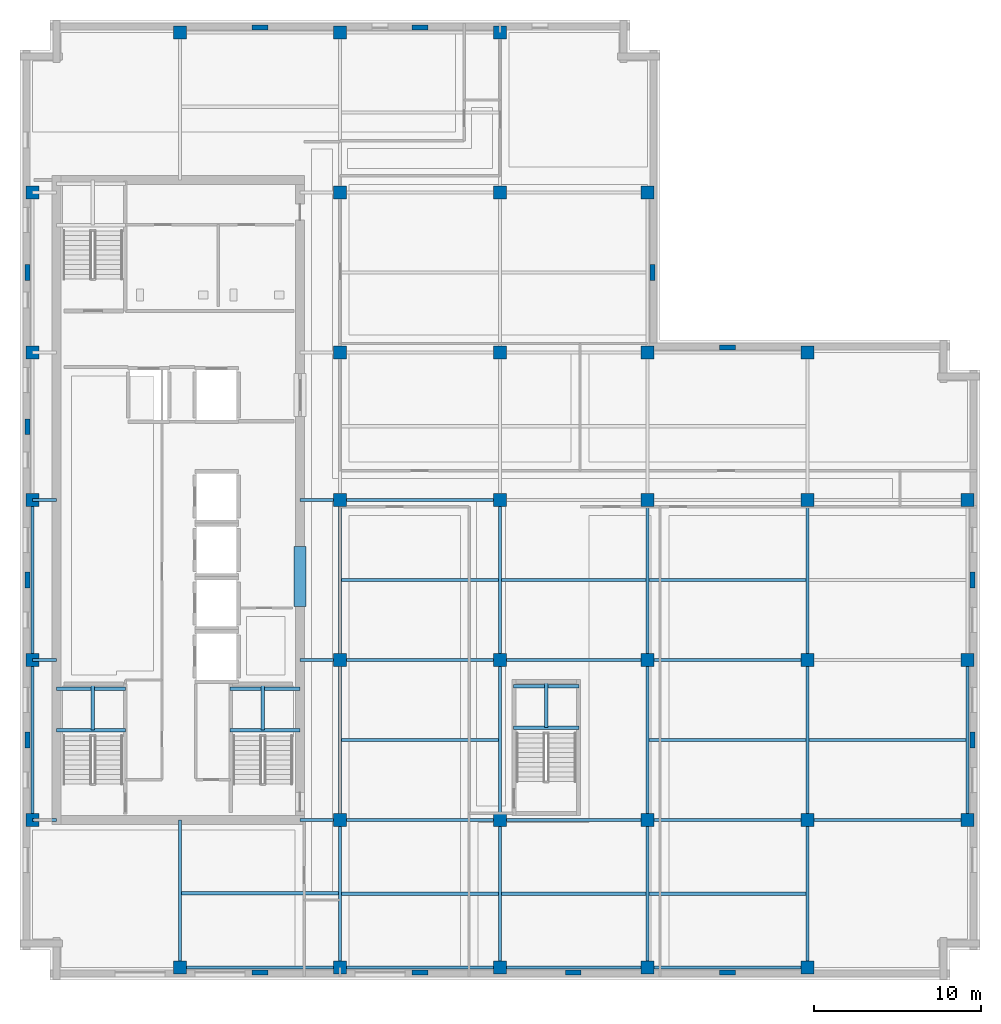
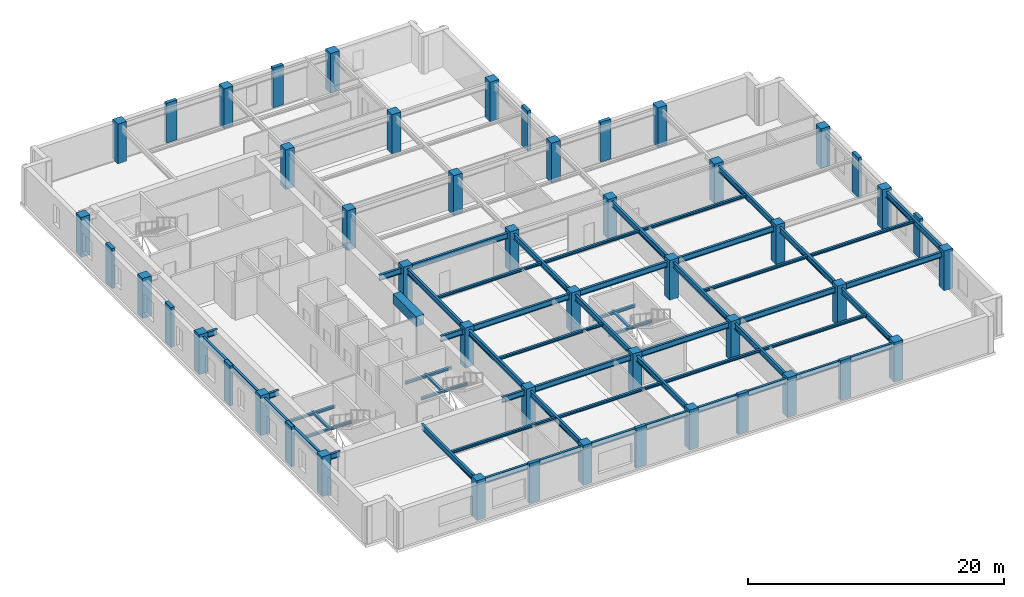
# One storey, part 1 of 11: 54 beams, 49 columns.
"""IFC4 building model written with IfcOpenShell, lengths in metres."""

from ifc_helpers import new_model, si_unit, direction, frame, origin, origin_2d, place, context, subcontext, project, spatial, rectangle, i_section, extrude, material, material_profile, profile_set, type_object, element, save


model = new_model("IFC4")

# Units and contexts
model_context = context("Model", 3, precision=1e-05, world=origin(), true_north=direction((0.0, 1.0)))
body_context = subcontext(model_context, "Body", "Model", "MODEL_VIEW")
ifc_project = project(units=[si_unit("LENGTHUNIT", "METRE"), si_unit("AREAUNIT", "SQUARE_METRE"), si_unit("VOLUMEUNIT", "CUBIC_METRE"), si_unit("PLANEANGLEUNIT", "RADIAN"), si_unit("MASSUNIT", "GRAM", prefix="KILO")], contexts=[model_context])

# Site, building, storey
site_placement = place(None, origin())
site = spatial("IfcSite", under=ifc_project, at=site_placement, CompositionType="ELEMENT")
building_placement = place(site_placement, origin())
building = spatial("IfcBuilding", under=site, at=building_placement, Name="Norrvale University Quadrangle", CompositionType="ELEMENT")
storey_placement = place(building_placement, frame((0.0, 0.0, 248.39990234375)))
storey = spatial("IfcBuildingStorey", under=building, at=storey_placement, Name="L63", CompositionType="ELEMENT", Elevation=248.39990234375)

# Columns
ifc_material_1 = material(Name="Red Manganese Brick Concrete C60/75", Category="concrete")
ifc_material_profile_1 = material_profile(ifc_material_1, rectangle(XDim=0.949951171875, YDim=0.300048828125, at=origin_2d()), Name="Red Manganese Brick Concrete C60/75")
ifc_profile_set_1 = profile_set([ifc_material_profile_1], Name="Red Manganese Brick Concrete C60/75")
column_type_1 = type_object("IfcColumnType", Name="Column Brick Pier 950x300", PredefinedType="PILASTER", material=ifc_profile_set_1)
for number, where, z_axis, x_axis, name in (
    (1, (0.449951171875, 14.39990234375, 0.0), (0.0, 0.0, 1.0), (0.0, 1.0, 0.0), "Exterior Brick Facade Pilaster L63-01"),
    (2, (0.449951171875, 24.0, 0.0), (0.0, 0.0, 1.0), (0.0, 1.0, 0.0), "Exterior Brick Facade Pilaster L63-02"),
    (3, (0.449951171875, 33.199951171875, 0.0), (0.0, 0.0, 1.0), (0.0, 1.0, 0.0), "Exterior Brick Facade Pilaster L63-03"),
    (4, (0.449951171875, 42.449951171875, 0.0), (0.0, 0.0, 1.0), (0.0, 1.0, 0.0), "Exterior Brick Facade Pilaster L63-04"),
    (5, (14.39990234375, 0.449951171875, 0.0), (0.0, 0.0, 1.0), (1.0, 0.0, 0.0), "Exterior Brick Facade Pilaster L63-05"),
    (6, (24.0, 0.449951171875, 0.0), (0.0, 0.0, 1.0), (1.0, 0.0, 0.0), "Exterior Brick Facade Pilaster L63-06"),
    (7, (33.199951171875, 0.449951171875, 0.0), (0.0, 0.0, 1.0), (1.0, 0.0, 0.0), "Exterior Brick Facade Pilaster L63-07"),
    (8, (42.449951171875, 0.449951171875, 0.0), (0.0, 0.0, 1.0), (1.0, 0.0, 0.0), "Exterior Brick Facade Pilaster L63-08"),
    (9, (57.14990234375, 14.39990234375, 0.0), (0.0, 0.0, 1.0), (0.0, 1.0, 0.0), "Exterior Brick Facade Pilaster L63-09"),
    (10, (57.14990234375, 24.0, 0.0), (0.0, 0.0, 1.0), (0.0, 1.0, 0.0), "Exterior Brick Facade Pilaster L63-10"),
    (11, (14.39990234375, 57.14990234375, 0.0), (0.0, 0.0, 1.0), (1.0, 0.0, 0.0), "Exterior Brick Facade Pilaster L63-11"),
    (12, (24.0, 57.14990234375, 0.0), (0.0, 0.0, 1.0), (1.0, 0.0, 0.0), "Exterior Brick Facade Pilaster L63-12"),
    (13, (37.949951171875, 42.449951171875, 0.0), (0.0, 0.0, 1.0), (0.0, 1.0, 0.0), "Exterior Brick Facade Pilaster L63-13"),
    (14, (42.449951171875, 37.949951171875, 0.0), (0.0, 0.0, 1.0), (1.0, 0.0, 0.0), "Exterior Brick Facade Pilaster L63-14"),
):
    element("IfcColumn", number, at=place(storey_placement, frame(where, z_axis=z_axis, x_axis=x_axis)), inside=storey, type_object=column_type_1, Name=name, PredefinedType="PILASTER", context=body_context, shape_type="SweptSolid", body=[
        extrude(rectangle(XDim=0.949951171875, YDim=0.300048828125, at=origin_2d()), origin(), (0.0, 0.0, 1.0), 3.800048828125),
    ])
ifc_material_2 = material(Name="Concrete C60/75", Category="concrete")
ifc_material_profile_2 = material_profile(ifc_material_2, rectangle(XDim=0.800048828125, YDim=0.800048828125, at=origin_2d()), Name="Concrete C60/75")
ifc_profile_set_2 = profile_set([ifc_material_profile_2], Name="Concrete C60/75")
column_type_2 = type_object("IfcColumnType", Name="Column Tower Z3 800x800", PredefinedType="COLUMN", material=ifc_profile_set_2)
for number, where, z_axis, x_axis, name in (
    (15, (0.75, 9.60009765625, 0.0), (0.0, 0.0, 1.0), (1.0, 0.0, 0.0), "Tower Column L63-T01"),
    (16, (0.75, 19.199951171875, 0.0), (0.0, 0.0, 1.0), (1.0, 0.0, 0.0), "Tower Column L63-T02"),
    (17, (0.75, 28.800048828125, 0.0), (0.0, 0.0, 1.0), (1.0, 0.0, 0.0), "Tower Column L63-T03"),
    (18, (0.75, 37.64990234375, 0.0), (0.0, 0.0, 1.0), (1.0, 0.0, 0.0), "Tower Column L63-T04"),
    (19, (0.75, 47.25, 0.0), (0.0, 0.0, 1.0), (1.0, 0.0, 0.0), "Tower Column L63-T05"),
    (20, (9.60009765625, 0.75, 0.0), (0.0, 0.0, 1.0), (1.0, 0.0, 0.0), "Tower Column L63-T06"),
    (21, (9.60009765625, 56.85009765625, 0.0), (0.0, 0.0, 1.0), (1.0, 0.0, 0.0), "Tower Column L63-T07"),
    (22, (19.199951171875, 0.75, 0.0), (0.0, 0.0, 1.0), (1.0, 0.0, 0.0), "Tower Column L63-T08"),
    (23, (19.199951171875, 9.60009765625, 0.0), (0.0, 0.0, 1.0), (1.0, 0.0, 0.0), "Tower Column L63-T09"),
    (24, (19.199951171875, 19.199951171875, 0.0), (0.0, 0.0, 1.0), (1.0, 0.0, 0.0), "Tower Column L63-T10"),
    (25, (19.199951171875, 28.800048828125, 0.0), (0.0, 0.0, 1.0), (1.0, 0.0, 0.0), "Tower Column L63-T11"),
    (26, (19.199951171875, 37.64990234375, 0.0), (0.0, 0.0, 1.0), (1.0, 0.0, 0.0), "Tower Column L63-T12"),
    (27, (19.199951171875, 47.25, 0.0), (0.0, 0.0, 1.0), (1.0, 0.0, 0.0), "Tower Column L63-T13"),
    (28, (19.199951171875, 56.85009765625, 0.0), (0.0, 0.0, 1.0), (1.0, 0.0, 0.0), "Tower Column L63-T14"),
    (29, (28.800048828125, 0.75, 0.0), (0.0, 0.0, 1.0), (1.0, 0.0, 0.0), "Tower Column L63-T15"),
    (30, (28.800048828125, 9.60009765625, 0.0), (0.0, 0.0, 1.0), (1.0, 0.0, 0.0), "Tower Column L63-T16"),
    (31, (28.800048828125, 19.199951171875, 0.0), (0.0, 0.0, 1.0), (1.0, 0.0, 0.0), "Tower Column L63-T17"),
    (32, (28.800048828125, 28.800048828125, 0.0), (0.0, 0.0, 1.0), (1.0, 0.0, 0.0), "Tower Column L63-T18"),
    (33, (28.800048828125, 37.64990234375, 0.0), (0.0, 0.0, 1.0), (1.0, 0.0, 0.0), "Tower Column L63-T19"),
    (34, (28.800048828125, 47.25, 0.0), (0.0, 0.0, 1.0), (1.0, 0.0, 0.0), "Tower Column L63-T20"),
    (35, (28.800048828125, 56.85009765625, 0.0), (0.0, 0.0, 1.0), (1.0, 0.0, 0.0), "Tower Column L63-T21"),
    (36, (37.64990234375, 0.75, 0.0), (0.0, 0.0, 1.0), (1.0, 0.0, 0.0), "Tower Column L63-T22"),
    (37, (37.64990234375, 9.60009765625, 0.0), (0.0, 0.0, 1.0), (1.0, 0.0, 0.0), "Tower Column L63-T23"),
    (38, (37.64990234375, 19.199951171875, 0.0), (0.0, 0.0, 1.0), (1.0, 0.0, 0.0), "Tower Column L63-T24"),
    (39, (37.64990234375, 28.800048828125, 0.0), (0.0, 0.0, 1.0), (1.0, 0.0, 0.0), "Tower Column L63-T25"),
    (40, (37.64990234375, 37.64990234375, 0.0), (0.0, 0.0, 1.0), (1.0, 0.0, 0.0), "Tower Column L63-T26"),
    (41, (37.64990234375, 47.25, 0.0), (0.0, 0.0, 1.0), (1.0, 0.0, 0.0), "Tower Column L63-T27"),
    (42, (47.25, 0.75, 0.0), (0.0, 0.0, 1.0), (1.0, 0.0, 0.0), "Tower Column L63-T28"),
    (43, (47.25, 9.60009765625, 0.0), (0.0, 0.0, 1.0), (1.0, 0.0, 0.0), "Tower Column L63-T29"),
    (44, (47.25, 19.199951171875, 0.0), (0.0, 0.0, 1.0), (1.0, 0.0, 0.0), "Tower Column L63-T30"),
    (45, (47.25, 28.800048828125, 0.0), (0.0, 0.0, 1.0), (1.0, 0.0, 0.0), "Tower Column L63-T31"),
    (46, (47.25, 37.64990234375, 0.0), (0.0, 0.0, 1.0), (1.0, 0.0, 0.0), "Tower Column L63-T32"),
    (47, (56.85009765625, 9.60009765625, 0.0), (0.0, 0.0, 1.0), (1.0, 0.0, 0.0), "Tower Column L63-T33"),
    (48, (56.85009765625, 19.199951171875, 0.0), (0.0, 0.0, 1.0), (1.0, 0.0, 0.0), "Tower Column L63-T34"),
    (49, (56.85009765625, 28.800048828125, 0.0), (0.0, 0.0, 1.0), (1.0, 0.0, 0.0), "Tower Column L63-T35"),
):
    element("IfcColumn", number, at=place(storey_placement, frame(where, z_axis=z_axis, x_axis=x_axis)), inside=storey, type_object=column_type_2, Name=name, PredefinedType="COLUMN", context=body_context, shape_type="SweptSolid", body=[
        extrude(rectangle(XDim=0.800048828125, YDim=0.800048828125, at=origin_2d()), origin(), (0.0, 0.0, 1.0), 3.800048828125),
    ])

# Beams
ifc_material_3 = material(Name="Concrete C80/95", Category="concrete")
ifc_material_profile_3 = material_profile(ifc_material_3, rectangle(XDim=0.699951171875, YDim=0.949951171875, at=origin_2d()), Name="Concrete C80/95")
ifc_profile_set_3 = profile_set([ifc_material_profile_3], Name="Concrete C80/95")
beam_type_1 = type_object("IfcBeamType", Name="Beam Core Link 700x950", PredefinedType="LINTEL", material=ifc_profile_set_3)
beam_1_placement = place(storey_placement, frame((16.800048828125, 22.39990234375, 3.065185546875), z_axis=(0.0, 1.0, 0.0), x_axis=(-1.0, 0.0, 0.0)))
element("IfcBeam", 50, at=beam_1_placement, inside=storey, type_object=beam_type_1, Name="Core Coupling Lintel Beam L63-1", PredefinedType="LINTEL", context=body_context, shape_type="SweptSolid", body=[
    extrude(rectangle(XDim=0.699951171875, YDim=0.949951171875, at=origin_2d()), origin(), (0.0, 0.0, 1.0), 3.60009765625),
])
ifc_material_4 = material(Name="Steel 350W", Category="steel")
ifc_material_profile_4 = material_profile(ifc_material_4, i_section(OverallWidth=0.208984375, OverallDepth=0.532958984375, WebThickness=0.01025390625, FlangeThickness=0.015625, FilletRadius=0.013916015625, at=origin_2d()), Name="Steel 350W")
ifc_profile_set_4 = profile_set([ifc_material_profile_4], Name="Steel 350W")
beam_type_2 = type_object("IfcBeamType", Name="Beam Floor W530x92", PredefinedType="JOIST", material=ifc_profile_set_4)
beam_2_placement = place(storey_placement, frame((9.60009765625, 0.75, 3.273681640625), z_axis=(1.0, 0.0, 0.0), x_axis=(0.0, 1.0, 0.0)))
element("IfcBeam", 51, at=beam_2_placement, inside=storey, type_object=beam_type_2, Name="Beam Floor W530x92 BM-L63-GX001", PredefinedType="JOIST", context=body_context, shape_type="SweptSolid", body=[
    extrude(i_section(OverallWidth=0.208984375, OverallDepth=0.532958984375, WebThickness=0.01025390625, FlangeThickness=0.015625, FilletRadius=0.013916015625, at=origin_2d()), origin(), (0.0, 0.0, 1.0), 9.599853515625),
])
beam_3_placement = place(storey_placement, frame((19.199951171875, 0.75, 3.273681640625), z_axis=(1.0, 0.0, 0.0), x_axis=(0.0, 1.0, 0.0)))
element("IfcBeam", 52, at=beam_3_placement, inside=storey, type_object=beam_type_2, Name="Beam Floor W530x92 BM-L63-GX002", PredefinedType="JOIST", context=body_context, shape_type="SweptSolid", body=[
    extrude(i_section(OverallWidth=0.208984375, OverallDepth=0.532958984375, WebThickness=0.01025390625, FlangeThickness=0.015625, FilletRadius=0.013916015625, at=origin_2d()), origin(), (0.0, 0.0, 1.0), 9.60009765625),
])
beam_4_placement = place(storey_placement, frame((28.800048828125, 0.75, 3.273681640625), z_axis=(1.0, 0.0, 0.0), x_axis=(0.0, 1.0, 0.0)))
element("IfcBeam", 53, at=beam_4_placement, inside=storey, type_object=beam_type_2, Name="Beam Floor W530x92 BM-L63-GX003", PredefinedType="JOIST", context=body_context, shape_type="SweptSolid", body=[
    extrude(i_section(OverallWidth=0.208984375, OverallDepth=0.532958984375, WebThickness=0.01025390625, FlangeThickness=0.015625, FilletRadius=0.013916015625, at=origin_2d()), origin(), (0.0, 0.0, 1.0), 8.849853515625),
])
for number, where, z_axis, x_axis, name in (
    (54, (37.64990234375, 0.75, 3.273681640625), (1.0, 0.0, 0.0), (0.0, 1.0, 0.0), "Beam Floor W530x92 BM-L63-GX004"),
    (55, (19.199951171875, 9.60009765625, 3.273681640625), (1.0, 0.0, 0.0), (0.0, 1.0, 0.0), "Beam Floor W530x92 BM-L63-GX005"),
):
    element("IfcBeam", number, at=place(storey_placement, frame(where, z_axis=z_axis, x_axis=x_axis)), inside=storey, type_object=beam_type_2, Name=name, PredefinedType="JOIST", context=body_context, shape_type="SweptSolid", body=[
        extrude(i_section(OverallWidth=0.208984375, OverallDepth=0.532958984375, WebThickness=0.01025390625, FlangeThickness=0.015625, FilletRadius=0.013916015625, at=origin_2d()), origin(), (0.0, 0.0, 1.0), 9.60009765625),
    ])
beam_5_placement = place(storey_placement, frame((28.800048828125, 9.60009765625, 3.273681640625), z_axis=(1.0, 0.0, 0.0), x_axis=(0.0, 1.0, 0.0)))
element("IfcBeam", 56, at=beam_5_placement, inside=storey, type_object=beam_type_2, Name="Beam Floor W530x92 BM-L63-GX006", PredefinedType="JOIST", context=body_context, shape_type="SweptSolid", body=[
    extrude(i_section(OverallWidth=0.208984375, OverallDepth=0.532958984375, WebThickness=0.01025390625, FlangeThickness=0.015625, FilletRadius=0.013916015625, at=origin_2d()), origin(), (0.0, 0.0, 1.0), 8.849853515625),
])
for number, where, z_axis, x_axis, name in (
    (57, (37.64990234375, 9.60009765625, 3.273681640625), (1.0, 0.0, 0.0), (0.0, 1.0, 0.0), "Beam Floor W530x92 BM-L63-GX007"),
    (58, (47.25, 9.60009765625, 3.273681640625), (1.0, 0.0, 0.0), (0.0, 1.0, 0.0), "Beam Floor W530x92 BM-L63-GX008"),
    (59, (19.199951171875, 19.199951171875, 3.273681640625), (1.0, 0.0, 0.0), (0.0, 1.0, 0.0), "Beam Floor W530x92 BM-L63-GX009"),
):
    element("IfcBeam", number, at=place(storey_placement, frame(where, z_axis=z_axis, x_axis=x_axis)), inside=storey, type_object=beam_type_2, Name=name, PredefinedType="JOIST", context=body_context, shape_type="SweptSolid", body=[
        extrude(i_section(OverallWidth=0.208984375, OverallDepth=0.532958984375, WebThickness=0.01025390625, FlangeThickness=0.015625, FilletRadius=0.013916015625, at=origin_2d()), origin(), (0.0, 0.0, 1.0), 9.60009765625),
    ])
beam_6_placement = place(storey_placement, frame((28.800048828125, 19.199951171875, 3.273681640625), z_axis=(1.0, 0.0, 0.0), x_axis=(0.0, 1.0, 0.0)))
element("IfcBeam", 60, at=beam_6_placement, inside=storey, type_object=beam_type_2, Name="Beam Floor W530x92 BM-L63-GX010", PredefinedType="JOIST", context=body_context, shape_type="SweptSolid", body=[
    extrude(i_section(OverallWidth=0.208984375, OverallDepth=0.532958984375, WebThickness=0.01025390625, FlangeThickness=0.015625, FilletRadius=0.013916015625, at=origin_2d()), origin(), (0.0, 0.0, 1.0), 8.849853515625),
])
for number, where, z_axis, x_axis, name in (
    (61, (37.64990234375, 19.199951171875, 3.273681640625), (1.0, 0.0, 0.0), (0.0, 1.0, 0.0), "Beam Floor W530x92 BM-L63-GX011"),
    (62, (19.199951171875, 28.800048828125, 3.273681640625), (1.0, 0.0, 0.0), (0.0, 1.0, 0.0), "Beam Floor W530x92 BM-L63-GX013"),
):
    element("IfcBeam", number, at=place(storey_placement, frame(where, z_axis=z_axis, x_axis=x_axis)), inside=storey, type_object=beam_type_2, Name=name, PredefinedType="JOIST", context=body_context, shape_type="SweptSolid", body=[
        extrude(i_section(OverallWidth=0.208984375, OverallDepth=0.532958984375, WebThickness=0.01025390625, FlangeThickness=0.015625, FilletRadius=0.013916015625, at=origin_2d()), origin(), (0.0, 0.0, 1.0), 9.60009765625),
    ])
beam_7_placement = place(storey_placement, frame((0.75, 9.60009765625, 3.273681640625), z_axis=(0.0, 1.0, 0.0), x_axis=(-1.0, 0.0, 0.0)))
element("IfcBeam", 63, at=beam_7_placement, inside=storey, type_object=beam_type_2, Name="Beam Floor W530x92 BM-L63-GY024", PredefinedType="JOIST", context=body_context, shape_type="SweptSolid", body=[
    extrude(i_section(OverallWidth=0.208984375, OverallDepth=0.532958984375, WebThickness=0.01025390625, FlangeThickness=0.015625, FilletRadius=0.013916015625, at=origin_2d()), origin(), (0.0, 0.0, 1.0), 9.599853515625),
])
beam_8_placement = place(storey_placement, frame((0.75, 19.199951171875, 3.273681640625), z_axis=(0.0, 1.0, 0.0), x_axis=(-1.0, 0.0, 0.0)))
element("IfcBeam", 64, at=beam_8_placement, inside=storey, type_object=beam_type_2, Name="Beam Floor W530x92 BM-L63-GY025", PredefinedType="JOIST", context=body_context, shape_type="SweptSolid", body=[
    extrude(i_section(OverallWidth=0.208984375, OverallDepth=0.532958984375, WebThickness=0.01025390625, FlangeThickness=0.015625, FilletRadius=0.013916015625, at=origin_2d()), origin(), (0.0, 0.0, 1.0), 9.60009765625),
])
beam_9_placement = place(storey_placement, frame((19.199951171875, 0.75, 3.273681640625), z_axis=(0.0, 1.0, 0.0), x_axis=(-1.0, 0.0, 0.0)))
element("IfcBeam", 65, at=beam_9_placement, inside=storey, type_object=beam_type_2, Name="Beam Floor W530x92 BM-L63-GY028", PredefinedType="JOIST", context=body_context, shape_type="SweptSolid", body=[
    extrude(i_section(OverallWidth=0.208984375, OverallDepth=0.532958984375, WebThickness=0.01025390625, FlangeThickness=0.015625, FilletRadius=0.013916015625, at=origin_2d()), origin(), (0.0, 0.0, 1.0), 8.85009765625),
])
beam_10_placement = place(storey_placement, frame((19.199951171875, 9.60009765625, 3.273681640625), z_axis=(0.0, 1.0, 0.0), x_axis=(-1.0, 0.0, 0.0)))
element("IfcBeam", 66, at=beam_10_placement, inside=storey, type_object=beam_type_2, Name="Beam Floor W530x92 BM-L63-GY029", PredefinedType="JOIST", context=body_context, shape_type="SweptSolid", body=[
    extrude(i_section(OverallWidth=0.208984375, OverallDepth=0.532958984375, WebThickness=0.01025390625, FlangeThickness=0.015625, FilletRadius=0.013916015625, at=origin_2d()), origin(), (0.0, 0.0, 1.0), 9.599853515625),
])
beam_11_placement = place(storey_placement, frame((19.199951171875, 19.199951171875, 3.273681640625), z_axis=(0.0, 1.0, 0.0), x_axis=(-1.0, 0.0, 0.0)))
element("IfcBeam", 67, at=beam_11_placement, inside=storey, type_object=beam_type_2, Name="Beam Floor W530x92 BM-L63-GY030", PredefinedType="JOIST", context=body_context, shape_type="SweptSolid", body=[
    extrude(i_section(OverallWidth=0.208984375, OverallDepth=0.532958984375, WebThickness=0.01025390625, FlangeThickness=0.015625, FilletRadius=0.013916015625, at=origin_2d()), origin(), (0.0, 0.0, 1.0), 9.60009765625),
])
beam_12_placement = place(storey_placement, frame((28.800048828125, 0.75, 3.273681640625), z_axis=(0.0, 1.0, 0.0), x_axis=(-1.0, 0.0, 0.0)))
element("IfcBeam", 68, at=beam_12_placement, inside=storey, type_object=beam_type_2, Name="Beam Floor W530x92 BM-L63-GY034", PredefinedType="JOIST", context=body_context, shape_type="SweptSolid", body=[
    extrude(i_section(OverallWidth=0.208984375, OverallDepth=0.532958984375, WebThickness=0.01025390625, FlangeThickness=0.015625, FilletRadius=0.013916015625, at=origin_2d()), origin(), (0.0, 0.0, 1.0), 8.85009765625),
])
beam_13_placement = place(storey_placement, frame((28.800048828125, 9.60009765625, 3.273681640625), z_axis=(0.0, 1.0, 0.0), x_axis=(-1.0, 0.0, 0.0)))
element("IfcBeam", 69, at=beam_13_placement, inside=storey, type_object=beam_type_2, Name="Beam Floor W530x92 BM-L63-GY035", PredefinedType="JOIST", context=body_context, shape_type="SweptSolid", body=[
    extrude(i_section(OverallWidth=0.208984375, OverallDepth=0.532958984375, WebThickness=0.01025390625, FlangeThickness=0.015625, FilletRadius=0.013916015625, at=origin_2d()), origin(), (0.0, 0.0, 1.0), 9.599853515625),
])
beam_14_placement = place(storey_placement, frame((28.800048828125, 19.199951171875, 3.273681640625), z_axis=(0.0, 1.0, 0.0), x_axis=(-1.0, 0.0, 0.0)))
element("IfcBeam", 70, at=beam_14_placement, inside=storey, type_object=beam_type_2, Name="Beam Floor W530x92 BM-L63-GY036", PredefinedType="JOIST", context=body_context, shape_type="SweptSolid", body=[
    extrude(i_section(OverallWidth=0.208984375, OverallDepth=0.532958984375, WebThickness=0.01025390625, FlangeThickness=0.015625, FilletRadius=0.013916015625, at=origin_2d()), origin(), (0.0, 0.0, 1.0), 9.60009765625),
])
beam_15_placement = place(storey_placement, frame((37.64990234375, 0.75, 3.273681640625), z_axis=(0.0, 1.0, 0.0), x_axis=(-1.0, 0.0, 0.0)))
element("IfcBeam", 71, at=beam_15_placement, inside=storey, type_object=beam_type_2, Name="Beam Floor W530x92 BM-L63-GY040", PredefinedType="JOIST", context=body_context, shape_type="SweptSolid", body=[
    extrude(i_section(OverallWidth=0.208984375, OverallDepth=0.532958984375, WebThickness=0.01025390625, FlangeThickness=0.015625, FilletRadius=0.013916015625, at=origin_2d()), origin(), (0.0, 0.0, 1.0), 8.85009765625),
])
beam_16_placement = place(storey_placement, frame((37.64990234375, 9.60009765625, 3.273681640625), z_axis=(0.0, 1.0, 0.0), x_axis=(-1.0, 0.0, 0.0)))
element("IfcBeam", 72, at=beam_16_placement, inside=storey, type_object=beam_type_2, Name="Beam Floor W530x92 BM-L63-GY041", PredefinedType="JOIST", context=body_context, shape_type="SweptSolid", body=[
    extrude(i_section(OverallWidth=0.208984375, OverallDepth=0.532958984375, WebThickness=0.01025390625, FlangeThickness=0.015625, FilletRadius=0.013916015625, at=origin_2d()), origin(), (0.0, 0.0, 1.0), 9.599853515625),
])
beam_17_placement = place(storey_placement, frame((37.64990234375, 19.199951171875, 3.273681640625), z_axis=(0.0, 1.0, 0.0), x_axis=(-1.0, 0.0, 0.0)))
element("IfcBeam", 73, at=beam_17_placement, inside=storey, type_object=beam_type_2, Name="Beam Floor W530x92 BM-L63-GY042", PredefinedType="JOIST", context=body_context, shape_type="SweptSolid", body=[
    extrude(i_section(OverallWidth=0.208984375, OverallDepth=0.532958984375, WebThickness=0.01025390625, FlangeThickness=0.015625, FilletRadius=0.013916015625, at=origin_2d()), origin(), (0.0, 0.0, 1.0), 9.60009765625),
])
beam_18_placement = place(storey_placement, frame((47.25, 0.75, 3.273681640625), z_axis=(0.0, 1.0, 0.0), x_axis=(-1.0, 0.0, 0.0)))
element("IfcBeam", 74, at=beam_18_placement, inside=storey, type_object=beam_type_2, Name="Beam Floor W530x92 BM-L63-GY045", PredefinedType="JOIST", context=body_context, shape_type="SweptSolid", body=[
    extrude(i_section(OverallWidth=0.208984375, OverallDepth=0.532958984375, WebThickness=0.01025390625, FlangeThickness=0.015625, FilletRadius=0.013916015625, at=origin_2d()), origin(), (0.0, 0.0, 1.0), 8.85009765625),
])
beam_19_placement = place(storey_placement, frame((47.25, 9.60009765625, 3.273681640625), z_axis=(0.0, 1.0, 0.0), x_axis=(-1.0, 0.0, 0.0)))
element("IfcBeam", 75, at=beam_19_placement, inside=storey, type_object=beam_type_2, Name="Beam Floor W530x92 BM-L63-GY046", PredefinedType="JOIST", context=body_context, shape_type="SweptSolid", body=[
    extrude(i_section(OverallWidth=0.208984375, OverallDepth=0.532958984375, WebThickness=0.01025390625, FlangeThickness=0.015625, FilletRadius=0.013916015625, at=origin_2d()), origin(), (0.0, 0.0, 1.0), 9.599853515625),
])
beam_20_placement = place(storey_placement, frame((47.25, 19.199951171875, 3.273681640625), z_axis=(0.0, 1.0, 0.0), x_axis=(-1.0, 0.0, 0.0)))
element("IfcBeam", 76, at=beam_20_placement, inside=storey, type_object=beam_type_2, Name="Beam Floor W530x92 BM-L63-GY047", PredefinedType="JOIST", context=body_context, shape_type="SweptSolid", body=[
    extrude(i_section(OverallWidth=0.208984375, OverallDepth=0.532958984375, WebThickness=0.01025390625, FlangeThickness=0.015625, FilletRadius=0.013916015625, at=origin_2d()), origin(), (0.0, 0.0, 1.0), 9.60009765625),
])
beam_21_placement = place(storey_placement, frame((56.85009765625, 9.60009765625, 3.273681640625), z_axis=(0.0, 1.0, 0.0), x_axis=(-1.0, 0.0, 0.0)))
element("IfcBeam", 77, at=beam_21_placement, inside=storey, type_object=beam_type_2, Name="Beam Floor W530x92 BM-L63-GY049", PredefinedType="JOIST", context=body_context, shape_type="SweptSolid", body=[
    extrude(i_section(OverallWidth=0.208984375, OverallDepth=0.532958984375, WebThickness=0.01025390625, FlangeThickness=0.015625, FilletRadius=0.013916015625, at=origin_2d()), origin(), (0.0, 0.0, 1.0), 9.599853515625),
])
beam_22_placement = place(storey_placement, frame((0.75, 9.60009765625, 3.273681640625), z_axis=(1.0, 0.0, 0.0), x_axis=(0.0, 1.0, 0.0)))
element("IfcBeam", 78, at=beam_22_placement, inside=storey, type_object=beam_type_2, Name="Beam Floor W530x92 BM-L63-GCW051", PredefinedType="JOIST", context=body_context, shape_type="SweptSolid", body=[
    extrude(i_section(OverallWidth=0.208984375, OverallDepth=0.532958984375, WebThickness=0.01025390625, FlangeThickness=0.015625, FilletRadius=0.013916015625, at=origin_2d()), origin(), (0.0, 0.0, 1.0), 1.449951171875),
])
beam_23_placement = place(storey_placement, frame((16.800048828125, 9.60009765625, 3.273681640625), z_axis=(1.0, 0.0, 0.0), x_axis=(0.0, 1.0, 0.0)))
element("IfcBeam", 79, at=beam_23_placement, inside=storey, type_object=beam_type_2, Name="Beam Floor W530x92 BM-L63-GCE052", PredefinedType="JOIST", context=body_context, shape_type="SweptSolid", body=[
    extrude(i_section(OverallWidth=0.208984375, OverallDepth=0.532958984375, WebThickness=0.01025390625, FlangeThickness=0.015625, FilletRadius=0.013916015625, at=origin_2d()), origin(), (0.0, 0.0, 1.0), 2.39990234375),
])
beam_24_placement = place(storey_placement, frame((0.75, 19.199951171875, 3.273681640625), z_axis=(1.0, 0.0, 0.0), x_axis=(0.0, 1.0, 0.0)))
element("IfcBeam", 80, at=beam_24_placement, inside=storey, type_object=beam_type_2, Name="Beam Floor W530x92 BM-L63-GCW053", PredefinedType="JOIST", context=body_context, shape_type="SweptSolid", body=[
    extrude(i_section(OverallWidth=0.208984375, OverallDepth=0.532958984375, WebThickness=0.01025390625, FlangeThickness=0.015625, FilletRadius=0.013916015625, at=origin_2d()), origin(), (0.0, 0.0, 1.0), 1.449951171875),
])
beam_25_placement = place(storey_placement, frame((16.800048828125, 19.199951171875, 3.273681640625), z_axis=(1.0, 0.0, 0.0), x_axis=(0.0, 1.0, 0.0)))
element("IfcBeam", 81, at=beam_25_placement, inside=storey, type_object=beam_type_2, Name="Beam Floor W530x92 BM-L63-GCE054", PredefinedType="JOIST", context=body_context, shape_type="SweptSolid", body=[
    extrude(i_section(OverallWidth=0.208984375, OverallDepth=0.532958984375, WebThickness=0.01025390625, FlangeThickness=0.015625, FilletRadius=0.013916015625, at=origin_2d()), origin(), (0.0, 0.0, 1.0), 2.39990234375),
])
beam_26_placement = place(storey_placement, frame((0.75, 28.800048828125, 3.273681640625), z_axis=(1.0, 0.0, 0.0), x_axis=(0.0, 1.0, 0.0)))
element("IfcBeam", 82, at=beam_26_placement, inside=storey, type_object=beam_type_2, Name="Beam Floor W530x92 BM-L63-GCW055", PredefinedType="JOIST", context=body_context, shape_type="SweptSolid", body=[
    extrude(i_section(OverallWidth=0.208984375, OverallDepth=0.532958984375, WebThickness=0.01025390625, FlangeThickness=0.015625, FilletRadius=0.013916015625, at=origin_2d()), origin(), (0.0, 0.0, 1.0), 1.449951171875),
])
beam_27_placement = place(storey_placement, frame((16.800048828125, 28.800048828125, 3.273681640625), z_axis=(1.0, 0.0, 0.0), x_axis=(0.0, 1.0, 0.0)))
element("IfcBeam", 83, at=beam_27_placement, inside=storey, type_object=beam_type_2, Name="Beam Floor W530x92 BM-L63-GCE056", PredefinedType="JOIST", context=body_context, shape_type="SweptSolid", body=[
    extrude(i_section(OverallWidth=0.208984375, OverallDepth=0.532958984375, WebThickness=0.01025390625, FlangeThickness=0.015625, FilletRadius=0.013916015625, at=origin_2d()), origin(), (0.0, 0.0, 1.0), 2.39990234375),
])
beam_28_placement = place(storey_placement, frame((9.60009765625, 0.75, 3.273681640625), z_axis=(0.0, 1.0, 0.0), x_axis=(-1.0, 0.0, 0.0)))
element("IfcBeam", 84, at=beam_28_placement, inside=storey, type_object=beam_type_2, Name="Beam Floor W530x92 BM-L63-GCS077", PredefinedType="JOIST", context=body_context, shape_type="SweptSolid", body=[
    extrude(i_section(OverallWidth=0.208984375, OverallDepth=0.532958984375, WebThickness=0.01025390625, FlangeThickness=0.015625, FilletRadius=0.013916015625, at=origin_2d()), origin(), (0.0, 0.0, 1.0), 8.85009765625),
])
ifc_material_profile_5 = material_profile(ifc_material_4, i_section(OverallWidth=0.201904296875, OverallDepth=0.2470703125, WebThickness=0.00732421875, FlangeThickness=0.010986328125, FilletRadius=0.011962890625, at=origin_2d()), Name="Steel 350W")
ifc_profile_set_5 = profile_set([ifc_material_profile_5], Name="Steel 350W")
beam_type_3 = type_object("IfcBeamType", Name="Beam Stair W250x49", PredefinedType="BEAM", material=ifc_profile_set_5)
for number, where, z_axis, x_axis, name in (
    (85, (19.304443359375, 5.175048828125, 3.41650390625), (1.0, 0.0, 0.0), (0.0, 1.0, 0.0), "Beam Stair W250x49 BM-L63-J061"),
    (86, (19.304443359375, 14.39990234375, 3.41650390625), (1.0, 0.0, 0.0), (0.0, 1.0, 0.0), "Beam Stair W250x49 BM-L63-J062"),
    (87, (19.304443359375, 24.0, 3.41650390625), (1.0, 0.0, 0.0), (0.0, 1.0, 0.0), "Beam Stair W250x49 BM-L63-J063"),
):
    element("IfcBeam", number, at=place(storey_placement, frame(where, z_axis=z_axis, x_axis=x_axis)), inside=storey, type_object=beam_type_3, Name=name, PredefinedType="BEAM", context=body_context, shape_type="SweptSolid", body=[
        extrude(i_section(OverallWidth=0.201904296875, OverallDepth=0.2470703125, WebThickness=0.00732421875, FlangeThickness=0.010986328125, FilletRadius=0.011962890625, at=origin_2d()), origin(), (0.0, 0.0, 1.0), 9.39111328125),
    ])
for number, where, z_axis, x_axis, name in (
    (88, (28.904541015625, 5.175048828125, 3.41650390625), (1.0, 0.0, 0.0), (0.0, 1.0, 0.0), "Beam Stair W250x49 BM-L63-J067"),
    (89, (28.904541015625, 24.0, 3.41650390625), (1.0, 0.0, 0.0), (0.0, 1.0, 0.0), "Beam Stair W250x49 BM-L63-J068"),
):
    element("IfcBeam", number, at=place(storey_placement, frame(where, z_axis=z_axis, x_axis=x_axis)), inside=storey, type_object=beam_type_3, Name=name, PredefinedType="BEAM", context=body_context, shape_type="SweptSolid", body=[
        extrude(i_section(OverallWidth=0.201904296875, OverallDepth=0.2470703125, WebThickness=0.00732421875, FlangeThickness=0.010986328125, FilletRadius=0.011962890625, at=origin_2d()), origin(), (0.0, 0.0, 1.0), 8.640869140625),
    ])
for number, where, z_axis, x_axis, name in (
    (90, (37.75439453125, 5.175048828125, 3.41650390625), (1.0, 0.0, 0.0), (0.0, 1.0, 0.0), "Beam Stair W250x49 BM-L63-J071"),
    (91, (37.75439453125, 14.39990234375, 3.41650390625), (1.0, 0.0, 0.0), (0.0, 1.0, 0.0), "Beam Stair W250x49 BM-L63-J072"),
    (92, (37.75439453125, 24.0, 3.41650390625), (1.0, 0.0, 0.0), (0.0, 1.0, 0.0), "Beam Stair W250x49 BM-L63-J073"),
    (93, (47.3544921875, 14.39990234375, 3.41650390625), (1.0, 0.0, 0.0), (0.0, 1.0, 0.0), "Beam Stair W250x49 BM-L63-J075"),
):
    element("IfcBeam", number, at=place(storey_placement, frame(where, z_axis=z_axis, x_axis=x_axis)), inside=storey, type_object=beam_type_3, Name=name, PredefinedType="BEAM", context=body_context, shape_type="SweptSolid", body=[
        extrude(i_section(OverallWidth=0.201904296875, OverallDepth=0.2470703125, WebThickness=0.00732421875, FlangeThickness=0.010986328125, FilletRadius=0.011962890625, at=origin_2d()), origin(), (0.0, 0.0, 1.0), 9.39111328125),
    ])
beam_29_placement = place(storey_placement, frame((9.70458984375, 5.199951171875, 3.41650390625), z_axis=(1.0, 0.0, 0.0), x_axis=(0.0, 1.0, 0.0)))
element("IfcBeam", 94, at=beam_29_placement, inside=storey, type_object=beam_type_3, Name="Beam Stair W250x49 BM-L63-JCS078", PredefinedType="BEAM", context=body_context, shape_type="SweptSolid", body=[
    extrude(i_section(OverallWidth=0.201904296875, OverallDepth=0.2470703125, WebThickness=0.00732421875, FlangeThickness=0.010986328125, FilletRadius=0.011962890625, at=origin_2d()), origin(), (0.0, 0.0, 1.0), 9.390869140625),
])
for number, where, z_axis, x_axis, name in (
    (95, (2.199951171875, 14.989990234375, 1.57666015625), (1.0, 0.0, 0.0), (0.0, 1.0, 0.0), "Stair Mid-Landing Front Beam ST-01 L63"),
    (96, (2.199951171875, 17.469970703125, 1.57666015625), (1.0, 0.0, 0.0), (0.0, 1.0, 0.0), "Stair Mid-Landing Rear Beam ST-01 L63"),
):
    element("IfcBeam", number, at=place(storey_placement, frame(where, z_axis=z_axis, x_axis=x_axis)), inside=storey, type_object=beam_type_3, Name=name, PredefinedType="BEAM", context=body_context, shape_type="SweptSolid", body=[
        extrude(i_section(OverallWidth=0.201904296875, OverallDepth=0.2470703125, WebThickness=0.00732421875, FlangeThickness=0.010986328125, FilletRadius=0.011962890625, at=origin_2d()), origin(), (0.0, 0.0, 1.0), 4.14013671875),
    ])
for number, where, z_axis, x_axis, name in (
    (97, (12.610107421875, 14.989990234375, 1.57666015625), (1.0, 0.0, 0.0), (0.0, 1.0, 0.0), "Stair Mid-Landing Front Beam ST-03 L63"),
    (98, (12.610107421875, 17.469970703125, 1.57666015625), (1.0, 0.0, 0.0), (0.0, 1.0, 0.0), "Stair Mid-Landing Rear Beam ST-03 L63"),
):
    element("IfcBeam", number, at=place(storey_placement, frame(where, z_axis=z_axis, x_axis=x_axis)), inside=storey, type_object=beam_type_3, Name=name, PredefinedType="BEAM", context=body_context, shape_type="SweptSolid", body=[
        extrude(i_section(OverallWidth=0.201904296875, OverallDepth=0.2470703125, WebThickness=0.00732421875, FlangeThickness=0.010986328125, FilletRadius=0.011962890625, at=origin_2d()), origin(), (0.0, 0.0, 1.0), 4.18994140625),
    ])
for number, where, z_axis, x_axis, name in (
    (99, (29.610107421875, 15.139892578125, 1.57666015625), (1.0, 0.0, 0.0), (0.0, 1.0, 0.0), "Stair Mid-Landing Front Beam ST-04 L63"),
    (100, (29.610107421875, 17.6201171875, 1.57666015625), (1.0, 0.0, 0.0), (0.0, 1.0, 0.0), "Stair Mid-Landing Rear Beam ST-04 L63"),
):
    element("IfcBeam", number, at=place(storey_placement, frame(where, z_axis=z_axis, x_axis=x_axis)), inside=storey, type_object=beam_type_3, Name=name, PredefinedType="BEAM", context=body_context, shape_type="SweptSolid", body=[
        extrude(i_section(OverallWidth=0.201904296875, OverallDepth=0.2470703125, WebThickness=0.00732421875, FlangeThickness=0.010986328125, FilletRadius=0.011962890625, at=origin_2d()), origin(), (0.0, 0.0, 1.0), 3.929931640625),
    ])
ifc_material_profile_6 = material_profile(ifc_material_4, i_section(OverallWidth=0.202880859375, OverallDepth=0.202880859375, WebThickness=0.007080078125, FlangeThickness=0.010986328125, FilletRadius=0.010009765625, at=origin_2d()), Name="Steel 350W")
ifc_profile_set_6 = profile_set([ifc_material_profile_6], Name="Steel 350W")
beam_type_4 = type_object("IfcBeamType", Name="Beam Trim W200x46", PredefinedType="BEAM", material=ifc_profile_set_6)
for number, where, z_axis, x_axis, name in (
    (101, (4.375, 14.989990234375, 1.5986328125), (0.0, 1.0, 0.0), (-1.0, 0.0, 0.0), "Stair Mid-Landing Cross Beam ST-01 L63"),
    (102, (14.574951171875, 14.989990234375, 1.5986328125), (0.0, 1.0, 0.0), (-1.0, 0.0, 0.0), "Stair Mid-Landing Cross Beam ST-03 L63"),
    (103, (31.574951171875, 15.139892578125, 1.5986328125), (0.0, 1.0, 0.0), (-1.0, 0.0, 0.0), "Stair Mid-Landing Cross Beam ST-04 L63"),
):
    element("IfcBeam", number, at=place(storey_placement, frame(where, z_axis=z_axis, x_axis=x_axis)), inside=storey, type_object=beam_type_4, Name=name, PredefinedType="BEAM", context=body_context, shape_type="SweptSolid", body=[
        extrude(i_section(OverallWidth=0.202880859375, OverallDepth=0.202880859375, WebThickness=0.007080078125, FlangeThickness=0.010986328125, FilletRadius=0.010009765625, at=origin_2d()), origin(), (0.0, 0.0, 1.0), 2.800048828125),
    ])

save(model, "model.ifc")
